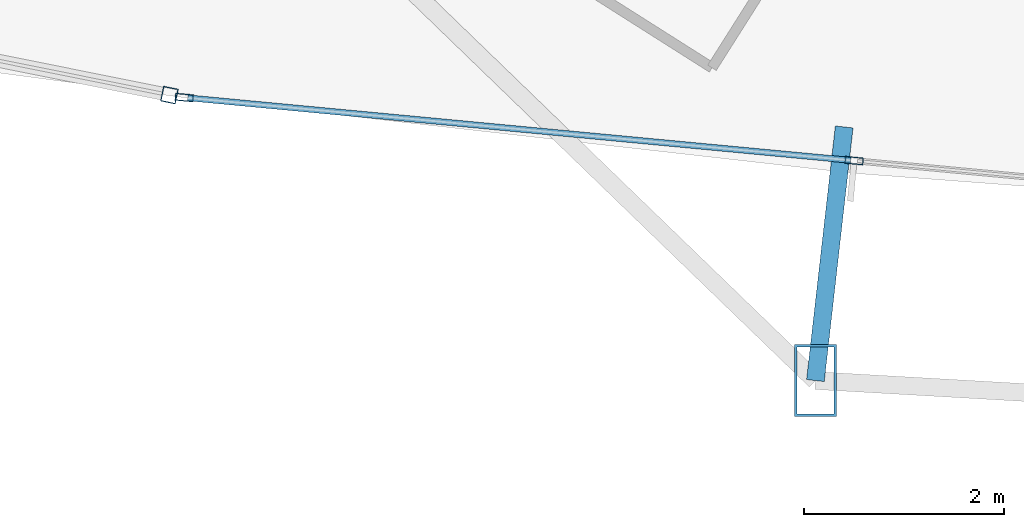
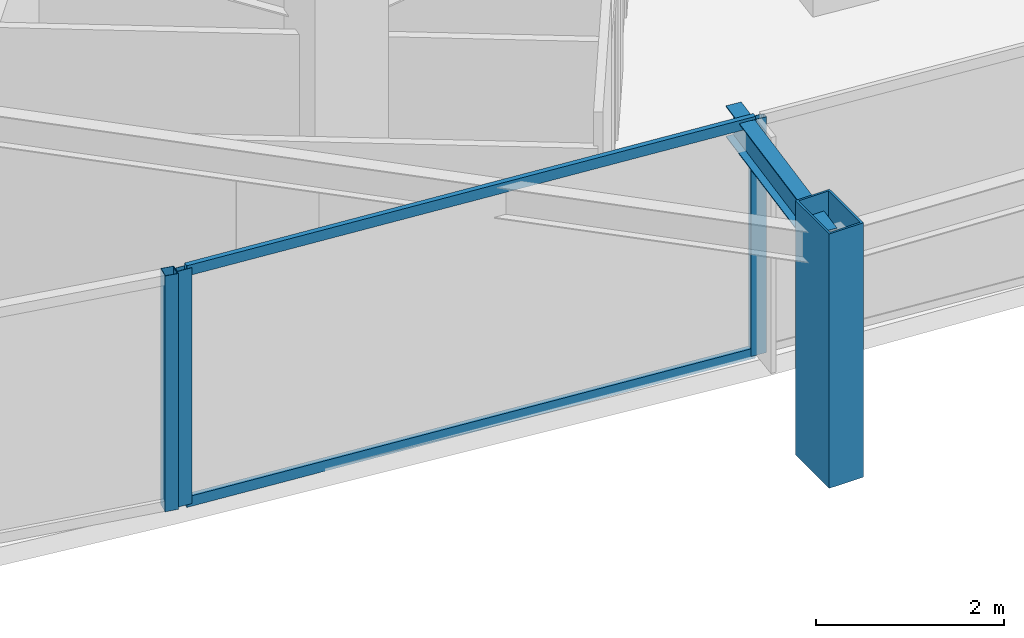
# One storey, part 4 of 35: 6 members, 1 beam, 2 elements without a shape of their own.
"""IFC4 building model written with IfcOpenShell, lengths in metres."""

from ifc_helpers import new_model, si_unit, direction, frame, origin, origin_2d, place, context, subcontext, project, spatial, hollow_rectangle, i_section, extrude, material, layer, layer_set, material_profile, profile_set, type_object, element, aggregate, save


model = new_model("IFC4")

# Units and contexts
model_context = context("Model", 3, precision=1e-05, world=origin(), true_north=direction((0.0, 1.0)))
body_context = subcontext(model_context, "Body", "Model", "MODEL_VIEW")
ifc_project = project(units=[si_unit("LENGTHUNIT", "METRE"), si_unit("AREAUNIT", "SQUARE_METRE"), si_unit("VOLUMEUNIT", "CUBIC_METRE"), si_unit("PLANEANGLEUNIT", "RADIAN"), si_unit("MASSUNIT", "GRAM", prefix="KILO")], contexts=[model_context])

# Site, building, storey
site_placement = place(None, origin())
site = spatial("IfcSite", under=ifc_project, at=site_placement, CompositionType="ELEMENT")
building_placement = place(site_placement, origin())
building = spatial("IfcBuilding", under=site, at=building_placement, Name="Orvanel Arch Residences", CompositionType="ELEMENT")
storey_placement = place(building_placement, frame((0.0, 0.0, 26.89990234375)))
storey = spatial("IfcBuildingStorey", under=building, at=storey_placement, Name="L06", CompositionType="ELEMENT", Elevation=26.89990234375)

# Member
ifc_material_1 = material(Name="Structural steel AS/NZS 3678 Grade 350", Category="steel")
ifc_material_profile_1 = material_profile(ifc_material_1, hollow_rectangle(XDim=0.419921875, YDim=0.719970703125, WallThickness=0.02490234375, at=origin_2d()), Name="RHS720x420x25")
ifc_profile_set_1 = profile_set([ifc_material_profile_1], Name="Structural steel AS/NZS 3678 Grade 350")
member_type_1 = type_object("IfcMemberType", Name="CH-720RHS-EXT", PredefinedType="CHORD", material=ifc_profile_set_1)
member_1_placement = place(storey_placement, frame((19.125, -0.35595703125, 0.0), z_axis=(0.0, 0.0, 1.0), x_axis=(1.0, 0.0, 0.0)))
element("IfcMember", 1, at=member_1_placement, inside=storey, type_object=member_type_1, Name="L06 Outer Perimeter Frame Post 05", PredefinedType="CHORD", context=body_context, shape_type="SweptSolid", body=[
    extrude(hollow_rectangle(XDim=0.419921875, YDim=0.719970703125, WallThickness=0.02490234375, at=origin_2d()), origin(), (0.0, 0.0, 1.0), 3.300048828125),
])

# Curtain wall, member
ifc_material_2 = material(Name="Bronze-anodised aluminium AA6063-T6", Category="aluminium")
ifc_layer_1 = layer(ifc_material_2, 0.18994140625)
ifc_layer_set_1 = layer_set([ifc_layer_1], Name="Bronze-anodised aluminium AA6063-T6")
curtain_wall_type_1 = type_object("IfcCurtainWallType", Name="CW5-CRN-SYS", PredefinedType="NOTDEFINED", material=ifc_layer_set_1)
curtain_wall_1_placement = place(storey_placement, origin())
curtain_wall_1 = element("IfcCurtainWall", 2, at=curtain_wall_1_placement, inside=storey, type_object=curtain_wall_type_1, Name="L06 CW5-CRN-SYS Unitised Curtain Wall", PredefinedType="NOTDEFINED")
ifc_material_profile_2 = material_profile(ifc_material_2, hollow_rectangle(XDim=0.14990234375, YDim=0.14990234375, WallThickness=0.0048828125, at=origin_2d()), Name="ALU150x150x5")
ifc_profile_set_2 = profile_set([ifc_material_profile_2], Name="Bronze-anodised aluminium AA6063-T6")
member_type_2 = type_object("IfcMemberType", Name="MUL-150x150", PredefinedType="MULLION", material=ifc_profile_set_2)
member_2_placement = place(storey_placement, frame((12.673583984375, 2.494873046875, 0.0), z_axis=(0.0, 0.0, 1.0), x_axis=(0.197038556687, 0.980395740086, 0.0)))
member_2 = element("IfcMember", 3, at=member_2_placement, type_object=member_type_2, Name="CW-S5 mullion 3", PredefinedType="MULLION", context=body_context, shape_type="SweptSolid", body=[
    extrude(hollow_rectangle(XDim=0.14990234375, YDim=0.14990234375, WallThickness=0.0048828125, at=origin_2d()), origin(), (0.0, 0.0, 1.0), 3.06005859375),
])
aggregate(curtain_wall_1, [member_2])

# Curtain wall, members
ifc_layer_2 = layer(ifc_material_2, 0.179931640625)
ifc_layer_set_2 = layer_set([ifc_layer_2], Name="Bronze-anodised aluminium AA6063-T6")
curtain_wall_type_2 = type_object("IfcCurtainWallType", Name="CW2-LOW-SYS", PredefinedType="NOTDEFINED", material=ifc_layer_set_2)
curtain_wall_2_placement = place(storey_placement, origin())
curtain_wall_2 = element("IfcCurtainWall", 4, at=curtain_wall_2_placement, inside=storey, type_object=curtain_wall_type_2, Name="L06 CW2-LOW-SYS Unitised Curtain Wall", PredefinedType="NOTDEFINED")
ifc_material_profile_3 = material_profile(ifc_material_2, hollow_rectangle(XDim=0.070068359375, YDim=0.179931640625, WallThickness=0.00439453125, at=origin_2d()), Name="ALU180x70x4.5")
ifc_profile_set_3 = profile_set([ifc_material_profile_3], Name="Bronze-anodised aluminium AA6063-T6")
member_type_3 = type_object("IfcMemberType", Name="MUL-180x70", PredefinedType="MULLION", material=ifc_profile_set_3)
member_3_placement = place(storey_placement, frame((12.82177734375, 2.470703125, 0.0), z_axis=(0.0, 0.0, 1.0), x_axis=(0.093865833683, 0.995584855885, 0.0)))
member_3 = element("IfcMember", 5, at=member_3_placement, type_object=member_type_3, Name="CW-S2 mullion 1", PredefinedType="MULLION", context=body_context, shape_type="SweptSolid", body=[
    extrude(hollow_rectangle(XDim=0.070068359375, YDim=0.179931640625, WallThickness=0.00439453125, at=origin_2d()), origin(), (0.0, 0.0, 1.0), 3.06005859375),
])
member_4_placement = place(storey_placement, frame((19.511474609375, 1.840087890625, 0.0), z_axis=(0.0, 0.0, 1.0), x_axis=(0.093865833683, 0.995584855885, 0.0)))
member_4 = element("IfcMember", 6, at=member_4_placement, type_object=member_type_3, Name="CW-S2 mullion 2", PredefinedType="MULLION", context=body_context, shape_type="SweptSolid", body=[
    extrude(hollow_rectangle(XDim=0.070068359375, YDim=0.179931640625, WallThickness=0.00439453125, at=origin_2d()), origin(), (0.0, 0.0, 1.0), 3.06005859375),
])

# Beam
ifc_material_3 = material(Name="Structural steel AS/NZS 3679.1 Grade 300 (300 MPa)", Category="steel")
ifc_material_profile_4 = material_profile(ifc_material_3, i_section(OverallWidth=0.177978515625, OverallDepth=0.406005859375, WebThickness=0.0078125, FlangeThickness=0.0126953125, at=origin_2d()), Name="410UB59.7")
ifc_profile_set_4 = profile_set([ifc_material_profile_4], Name="Structural steel AS/NZS 3679.1 Grade 300 (300 MPa)")
beam_type = type_object("IfcBeamType", Name="OB-410UB-EXT", PredefinedType="SPANDREL", material=ifc_profile_set_4)
beam_placement = place(storey_placement, frame((19.412109375, 2.177001953125, 2.857177734375), z_axis=(-0.11262817851, -0.993637204117, 0.0), x_axis=(0.993637204117, -0.11262817851, 0.0)))
element("IfcBeam", 7, at=beam_placement, inside=storey, type_object=beam_type, Name="L06 Outer Frame Radial Tie Beam 05", PredefinedType="SPANDREL", context=body_context, shape_type="SweptSolid", body=[
    extrude(i_section(OverallWidth=0.177978515625, OverallDepth=0.406005859375, WebThickness=0.0078125, FlangeThickness=0.0126953125, at=origin_2d()), origin(), (0.0, 0.0, 1.0), 2.549072265625),
])

# Member
ifc_material_profile_5 = material_profile(ifc_material_2, hollow_rectangle(XDim=0.06005859375, YDim=0.135009765625, WallThickness=0.00390625, at=origin_2d()), Name="ALU135x60x4")
ifc_profile_set_5 = profile_set([ifc_material_profile_5], Name="Bronze-anodised aluminium AA6063-T6")
member_type_4 = type_object("IfcMemberType", Name="TRN-135x60", PredefinedType="USERDEFINED", material=ifc_profile_set_5)
member_5_placement = place(storey_placement, frame((12.856689453125, 2.467529296875, 0.030029296875), z_axis=(0.99558300012, -0.093885514708, 0.0), x_axis=(0.093885514708, 0.99558300012, 0.0)))
member_5 = element("IfcMember", 8, at=member_5_placement, type_object=member_type_4, Name="CW-S2 transom 1.1", ObjectType="TRANSOM", PredefinedType="USERDEFINED", context=body_context, shape_type="SweptSolid", body=[
    extrude(hollow_rectangle(XDim=0.06005859375, YDim=0.135009765625, WallThickness=0.00390625, at=origin_2d()), origin(), (0.0, 0.0, 1.0), 6.649169921875),
])

member_6_placement = place(storey_placement, frame((12.856689453125, 2.467529296875, 3.030029296875), z_axis=(0.99558300012, -0.093885514708, 0.0), x_axis=(0.093885514708, 0.99558300012, 0.0)))
member_6 = element("IfcMember", 9, at=member_6_placement, type_object=member_type_4, Name="CW-S2 transom 1.2", ObjectType="TRANSOM", PredefinedType="USERDEFINED", context=body_context, shape_type="SweptSolid", body=[
    extrude(hollow_rectangle(XDim=0.06005859375, YDim=0.135009765625, WallThickness=0.00390625, at=origin_2d()), origin(), (0.0, 0.0, 1.0), 6.649169921875),
])

aggregate(curtain_wall_2, [member_3, member_4, member_5, member_6])

save(model, "model.ifc")
